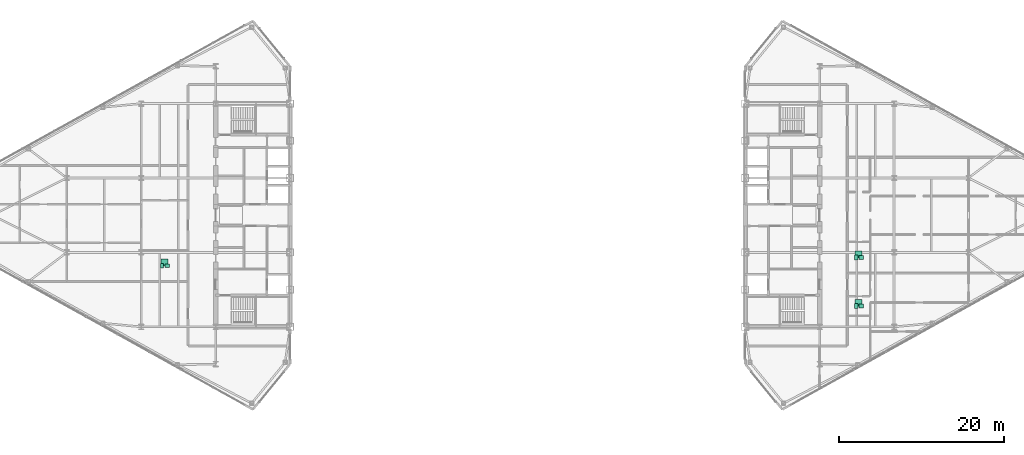
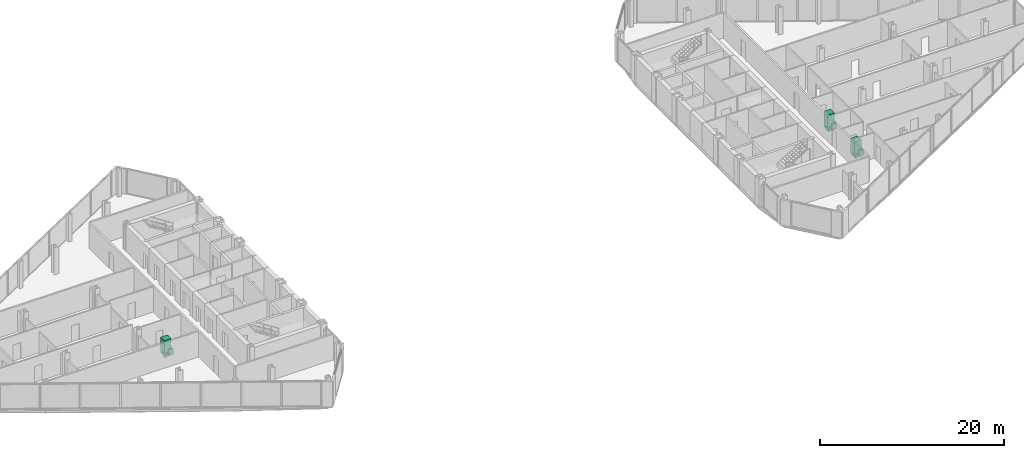
# One storey, part 26 of 26: 9 sanitary terminals.
"""IFC4 building model written with IfcOpenShell, lengths in metres."""

from ifc_helpers import new_model, si_unit, direction, frame, origin, origin_2d, place, context, subcontext, project, spatial, rectangle, extrude, source, transform, mapped, material, type_object, type_shapes, element, save


model = new_model("IFC4")

# Units and contexts
model_context = context("Model", 3, precision=1e-05, world=origin(), true_north=direction((0.0, 1.0)))
body_context = subcontext(model_context, "Body", "Model", "MODEL_VIEW")
ifc_project = project(units=[si_unit("LENGTHUNIT", "METRE"), si_unit("AREAUNIT", "SQUARE_METRE"), si_unit("VOLUMEUNIT", "CUBIC_METRE"), si_unit("PLANEANGLEUNIT", "RADIAN"), si_unit("MASSUNIT", "GRAM", prefix="KILO")], contexts=[model_context])

# Site, building, storey
site_placement = place(None, origin())
site = spatial("IfcSite", under=ifc_project, at=site_placement, CompositionType="ELEMENT")
building_placement = place(site_placement, origin())
building = spatial("IfcBuilding", under=site, at=building_placement, Name="Seokmaru Belvedere", CompositionType="ELEMENT")
storey_placement = place(building_placement, frame((0.0, 0.0, 167.10009765625)))
storey = spatial("IfcBuildingStorey", under=building, at=storey_placement, Name="L44", CompositionType="ELEMENT", Elevation=167.10009765625)

# Sanitary terminals
ifc_material_1 = material(Name="Vitreous China Sanitaryware")
sanitary_terminal_type_1 = type_object("IfcSanitaryTerminalType", Name="Wall-Hung Vitreous China WC Pan", PredefinedType="TOILETPAN", material=ifc_material_1)
shared_shape_1 = source(origin(), body_context, "Body", "SweptSolid", [
    extrude(rectangle(XDim=0.3798828125, YDim=0.56005859375, at=origin_2d()), origin(), (0.0, 0.0, 1.0), 0.419921875),
])
type_shapes(sanitary_terminal_type_1, [shared_shape_1])
for number, where, z_axis, x_axis, name in (
    (1, (-42.97509765625, -6.111083984375, 0.0), (0.0, 0.0, 1.0), (1.0, 0.0, 0.0), "L44 Vitreous China WC 0232"),
    (2, (40.925048828125, -10.969970703125, 0.0), (0.0, 0.0, 1.0), (1.0, 0.0, 0.0), "L44 Vitreous China WC 0233"),
    (3, (40.925048828125, -5.111083984375, 0.0), (0.0, 0.0, 1.0), (1.0, 0.0, 0.0), "L44 Vitreous China WC 0234"),
):
    element("IfcSanitaryTerminal", number, at=place(storey_placement, frame(where, z_axis=z_axis, x_axis=x_axis)), inside=storey, type_object=sanitary_terminal_type_1, Name=name, PredefinedType="TOILETPAN", context=body_context, shape_type="MappedRepresentation", body=[
        mapped(shared_shape_1, transform((0.0, 0.0, 0.0), scale=1.0)),
    ])
sanitary_terminal_type_2 = type_object("IfcSanitaryTerminalType", Name="Countertop Ceramic Washhand Basin", PredefinedType="WASHHANDBASIN", material=ifc_material_1)
shared_shape_2 = source(origin(), body_context, "Body", "SweptSolid", [
    extrude(rectangle(XDim=0.550048828125, YDim=0.449951171875, at=origin_2d()), origin(), (0.0, 0.0, 1.0), 0.820068359375),
])
type_shapes(sanitary_terminal_type_2, [shared_shape_2])
for number, where, z_axis, x_axis, name in (
    (4, (-42.375, -6.111083984375, 0.0), (0.0, 0.0, 1.0), (1.0, 0.0, 0.0), "L44 Ceramic Washhand Basin 0232"),
    (5, (41.52490234375, -10.969970703125, 0.0), (0.0, 0.0, 1.0), (1.0, 0.0, 0.0), "L44 Ceramic Washhand Basin 0233"),
    (6, (41.52490234375, -5.111083984375, 0.0), (0.0, 0.0, 1.0), (1.0, 0.0, 0.0), "L44 Ceramic Washhand Basin 0234"),
):
    element("IfcSanitaryTerminal", number, at=place(storey_placement, frame(where, z_axis=z_axis, x_axis=x_axis)), inside=storey, type_object=sanitary_terminal_type_2, Name=name, PredefinedType="WASHHANDBASIN", context=body_context, shape_type="MappedRepresentation", body=[
        mapped(shared_shape_2, transform((0.0, 0.0, 0.0), scale=1.0)),
    ])
ifc_material_2 = material(Name="Stainless Steel 316", Category="steel")
sanitary_terminal_type_3 = type_object("IfcSanitaryTerminalType", Name="Walk-In Thermostatic Rain Shower Enclosure", PredefinedType="SHOWER", material=ifc_material_2)
shared_shape_3 = source(origin(), body_context, "Body", "SweptSolid", [
    extrude(rectangle(XDim=0.85009765625, YDim=0.85009765625, at=origin_2d()), origin(), (0.0, 0.0, 1.0), 2.050048828125),
])
type_shapes(sanitary_terminal_type_3, [shared_shape_3])
for number, where, z_axis, x_axis, name in (
    (7, (-42.675048828125, -5.73095703125, 0.0), (0.0, 0.0, 1.0), (1.0, 0.0, 0.0), "L44 Walk-In Shower 0232"),
    (8, (41.22509765625, -10.590087890625, 0.0), (0.0, 0.0, 1.0), (1.0, 0.0, 0.0), "L44 Walk-In Shower 0233"),
    (9, (41.22509765625, -4.73095703125, 0.0), (0.0, 0.0, 1.0), (1.0, 0.0, 0.0), "L44 Walk-In Shower 0234"),
):
    element("IfcSanitaryTerminal", number, at=place(storey_placement, frame(where, z_axis=z_axis, x_axis=x_axis)), inside=storey, type_object=sanitary_terminal_type_3, Name=name, PredefinedType="SHOWER", context=body_context, shape_type="MappedRepresentation", body=[
        mapped(shared_shape_3, transform((0.0, 0.0, 0.0), scale=1.0)),
    ])

save(model, "model.ifc")
